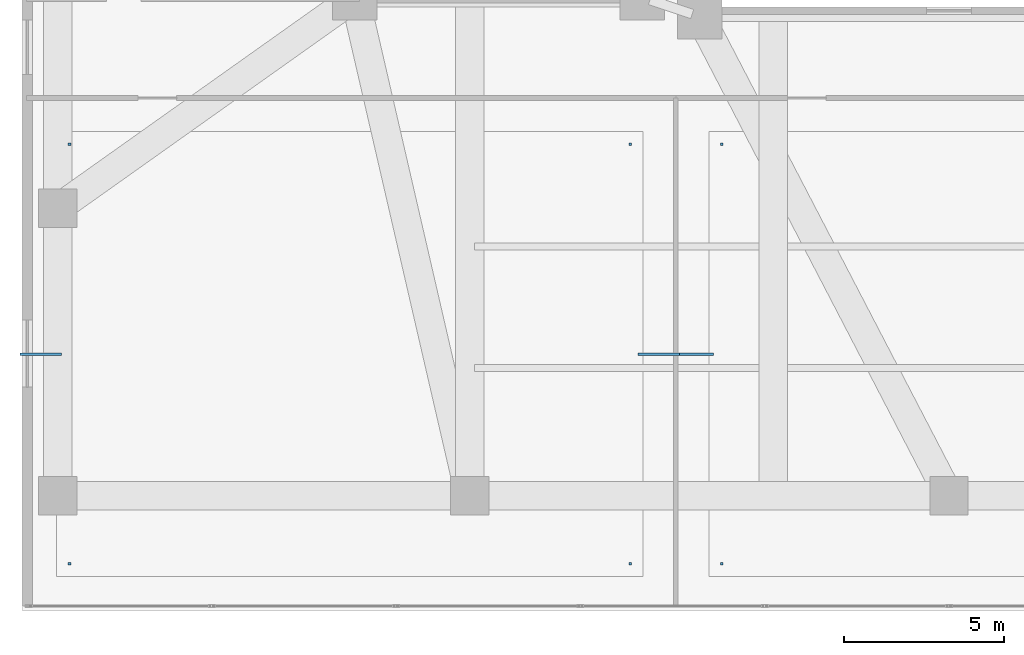
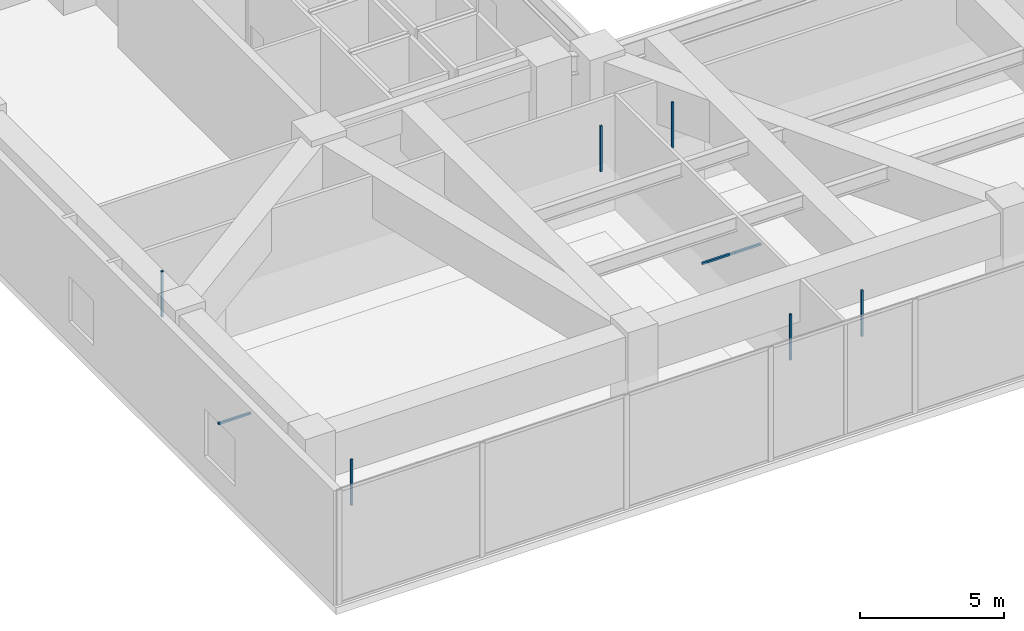
# One storey, part 14 of 21: 9 discrete accessories.
"""IFC4 building model written with IfcOpenShell, lengths in metres."""

from ifc_helpers import new_model, si_unit, direction, frame, origin, origin_2d, place, context, subcontext, project, spatial, rectangle, extrude, material, type_object, element, save


model = new_model("IFC4")

# Units and contexts
model_context = context("Model", 3, precision=1e-05, world=origin(), true_north=direction((0.0, 1.0)))
body_context = subcontext(model_context, "Body", "Model", "MODEL_VIEW")
ifc_project = project(units=[si_unit("LENGTHUNIT", "METRE"), si_unit("AREAUNIT", "SQUARE_METRE"), si_unit("VOLUMEUNIT", "CUBIC_METRE"), si_unit("PLANEANGLEUNIT", "RADIAN"), si_unit("MASSUNIT", "GRAM", prefix="KILO")], contexts=[model_context])

# Site, building, storey
site_placement = place(None, origin())
site = spatial("IfcSite", under=ifc_project, at=site_placement, CompositionType="ELEMENT")
building_placement = place(site_placement, origin())
building = spatial("IfcBuilding", under=site, at=building_placement, Name="Tarnavaz Court Tower", CompositionType="ELEMENT")
storey_placement = place(building_placement, frame((0.0, 0.0, 18.89990234375)))
storey = spatial("IfcBuildingStorey", under=building, at=storey_placement, Name="L04", CompositionType="ELEMENT", Elevation=18.89990234375)

# Discrete accessories
ifc_material = material(Name="Anodised Aluminium 6063-T6", Category="aluminium")
discrete_accessory_type = type_object("IfcDiscreteAccessoryType", Name="DA-BRKT-ALU", PredefinedType="BRACKET", material=ifc_material)
for number, where, z_axis, x_axis, name in (
    (1, (-27.530029296875, -24.929931640625, 2.940185546875), (0.0, 0.0, 1.0), (1.0, 0.0, 0.0), "L04 Ceiling Suspension Hanger Bracket 03-1"),
    (2, (-9.97998046875, -24.929931640625, 2.940185546875), (0.0, 0.0, 1.0), (1.0, 0.0, 0.0), "L04 Ceiling Suspension Hanger Bracket 03-2"),
    (3, (-9.97998046875, -11.800048828125, 2.940185546875), (0.0, 0.0, 1.0), (1.0, 0.0, 0.0), "L04 Ceiling Suspension Hanger Bracket 03-3"),
    (4, (-27.530029296875, -11.800048828125, 2.940185546875), (0.0, 0.0, 1.0), (1.0, 0.0, 0.0), "L04 Ceiling Suspension Hanger Bracket 03-4"),
):
    element("IfcDiscreteAccessory", number, at=place(storey_placement, frame(where, z_axis=z_axis, x_axis=x_axis)), inside=storey, type_object=discrete_accessory_type, Name=name, PredefinedType="BRACKET", context=body_context, shape_type="SweptSolid", body=[
        extrude(rectangle(XDim=0.080078125, YDim=0.080078125, at=origin_2d()), origin(), (0.0, 0.0, 1.0), 1.93994140625),
    ])
for number, where, z_axis, x_axis, name in (
    (5, (-28.429931640625, -18.364990234375, 2.902587890625), (0.0, 0.0, 1.0), (1.0, 0.0, 0.0), "L04 Ceiling Perimeter Wall-Tie Bracket 03-1"),
    (6, (-9.080078125, -18.364990234375, 2.902587890625), (0.0, 0.0, 1.0), (1.0, 0.0, 0.0), "L04 Ceiling Perimeter Wall-Tie Bracket 03-2"),
):
    element("IfcDiscreteAccessory", number, at=place(storey_placement, frame(where, z_axis=z_axis, x_axis=x_axis)), inside=storey, type_object=discrete_accessory_type, Name=name, PredefinedType="BRACKET", context=body_context, shape_type="SweptSolid", body=[
        extrude(rectangle(XDim=1.300048828125, YDim=0.080078125, at=origin_2d()), origin(), (0.0, 0.0, 1.0), 0.080078125),
    ])
for number, where, z_axis, x_axis, name in (
    (7, (-7.1201171875, -24.929931640625, 2.940185546875), (0.0, 0.0, 1.0), (1.0, 0.0, 0.0), "L04 Ceiling Suspension Hanger Bracket 04-1"),
    (8, (-7.1201171875, -11.800048828125, 2.940185546875), (0.0, 0.0, 1.0), (1.0, 0.0, 0.0), "L04 Ceiling Suspension Hanger Bracket 04-4"),
):
    element("IfcDiscreteAccessory", number, at=place(storey_placement, frame(where, z_axis=z_axis, x_axis=x_axis)), inside=storey, type_object=discrete_accessory_type, Name=name, PredefinedType="BRACKET", context=body_context, shape_type="SweptSolid", body=[
        extrude(rectangle(XDim=0.080078125, YDim=0.080078125, at=origin_2d()), origin(), (0.0, 0.0, 1.0), 1.93994140625),
    ])
discrete_accessory_placement = place(storey_placement, frame((-8.02001953125, -18.364990234375, 2.902587890625), z_axis=(0.0, 0.0, 1.0), x_axis=(1.0, 0.0, 0.0)))
element("IfcDiscreteAccessory", 9, at=discrete_accessory_placement, inside=storey, type_object=discrete_accessory_type, Name="L04 Ceiling Perimeter Wall-Tie Bracket 04-1", PredefinedType="BRACKET", context=body_context, shape_type="SweptSolid", body=[
    extrude(rectangle(XDim=1.300048828125, YDim=0.080078125, at=origin_2d()), origin(), (0.0, 0.0, 1.0), 0.080078125),
])

save(model, "model.ifc")
